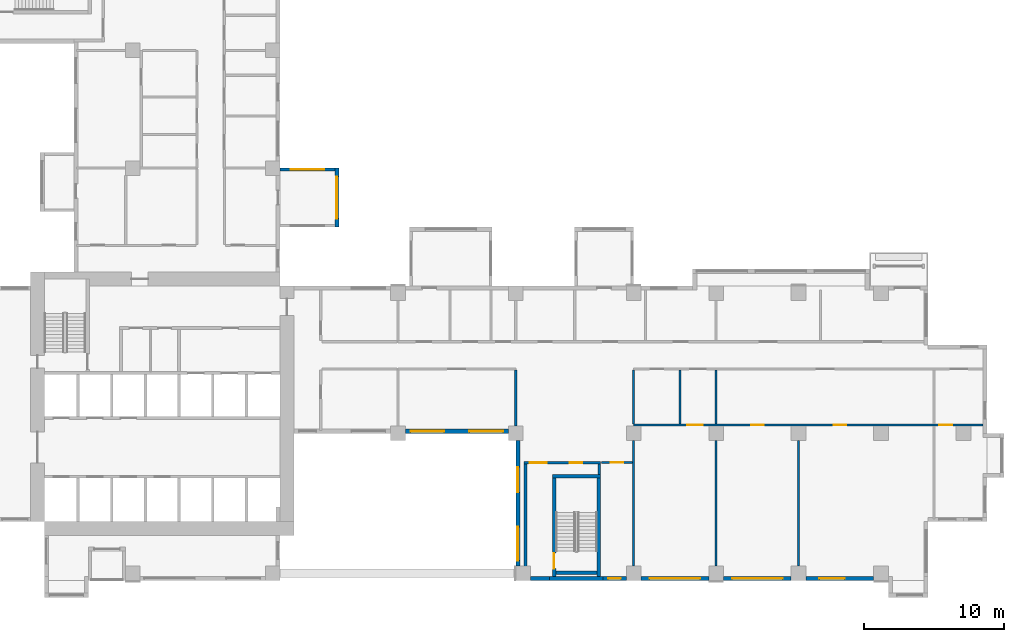
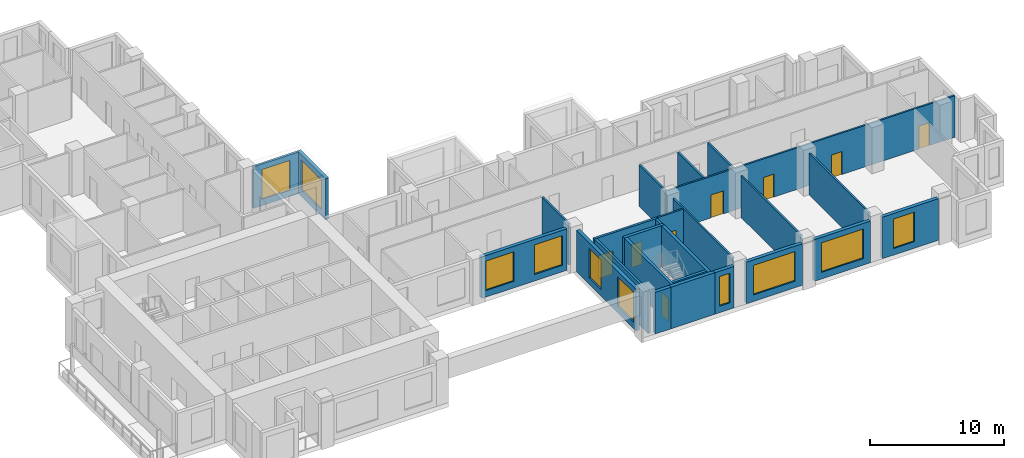
# One storey, part 4 of 14: 26 walls, 10 windows, 8 doors, 18 openings.
"""IFC4 building model written with IfcOpenShell, lengths in metres."""

import ifcopenshell
import ifcopenshell.guid

model = None  # the IFC model being written
_history = None  # IfcOwnerHistory: only IFC2X3 demands one
_inside = {}  # id of a spatial element -> (the spatial element, [elements in it])
_under = {}  # id of a project, library or spatial element -> (it, [spatial elements below it])
_declared = {}  # id of a project -> (the project, [libraries it declares])
_typed = {}  # id of a type object -> (the type object, [elements of that type])
_made_of = {}  # id of a material, layer set ... -> (it, [elements and type objects made of it])


def new_model(schema):
    """Start an empty IFC model of exactly this schema.

    Asked for "IFC4X3", IfcOpenShell would pick the latest addendum, in which some entities
    have other attributes; the version numbers below select the first issue.
    IFC2X3 requires an IfcOwnerHistory on every rooted entity: one is made here for all.
    """
    global model, _history
    if schema == "IFC4X3":
        model = ifcopenshell.file(schema_version=(4, 3, 0, 0))
    else:
        model = ifcopenshell.file(schema=schema)
    _inside.clear()
    _under.clear()
    _declared.clear()
    _typed.clear()
    _made_of.clear()
    _history = None
    if model.schema == "IFC2X3":
        org = make("IfcOrganization", Name="unknown")
        user = make(
            "IfcPersonAndOrganization",
            ThePerson=make("IfcPerson", FamilyName="unknown"),
            TheOrganization=org,
        )
        app = make(
            "IfcApplication",
            ApplicationDeveloper=org,
            Version="unknown",
            ApplicationFullName="unknown",
            ApplicationIdentifier="unknown",
        )
        _history = make(
            "IfcOwnerHistory",
            OwningUser=user,
            OwningApplication=app,
            ChangeAction="ADDED",
            CreationDate=0,
        )
    return model


def make(cls, **values):
    """One entity of the class cls with the attributes given. An attribute that is None is left unset."""
    return model.create_entity(
        cls, **{name: value for name, value in values.items() if value is not None}
    )


def rooted(cls, **values):
    """An entity with a GlobalId (a new one), such as an element, a storey or a relation."""
    return make(cls, GlobalId=ifcopenshell.guid.new(), OwnerHistory=_history, **values)


def si_unit(unit_type, name, prefix=None):
    """IfcSIUnit, for example si_unit("LENGTHUNIT", "METRE", prefix="MILLI")."""
    return make("IfcSIUnit", UnitType=unit_type, Prefix=prefix, Name=name)


def assignment(units):
    """IfcUnitAssignment: the units of a project."""
    return None if units is None else make("IfcUnitAssignment", Units=units)


def point(xyz):
    """IfcCartesianPoint."""
    return None if xyz is None else make("IfcCartesianPoint", Coordinates=xyz)


def direction(xyz):
    """IfcDirection."""
    return None if xyz is None else make("IfcDirection", DirectionRatios=xyz)


def frame(location, z_axis=None, x_axis=None):
    """IfcAxis2Placement3D, a coordinate frame: its origin and axes. An axis left out is left unset."""
    return make(
        "IfcAxis2Placement3D",
        Location=point(location),
        Axis=direction(z_axis),
        RefDirection=direction(x_axis),
    )


def frame_2d(location, x_axis=None):
    """IfcAxis2Placement2D, a coordinate frame in the plane: its origin and x axis."""
    return make(
        "IfcAxis2Placement2D", Location=point(location), RefDirection=direction(x_axis)
    )


def origin():
    """The frame at (0, 0, 0) with its axes left unset."""
    return frame((0.0, 0.0, 0.0))


def place(relative_to, where):
    """IfcLocalPlacement: puts the frame where relative to a parent placement (None: the world)."""
    return make(
        "IfcLocalPlacement", PlacementRelTo=relative_to, RelativePlacement=where
    )


def context(
    kind, dimensions, precision=None, world=None, true_north=None, identifier=None
):
    """IfcGeometricRepresentationContext, for example the 3D "Model" context."""
    return make(
        "IfcGeometricRepresentationContext",
        ContextIdentifier=identifier,
        ContextType=kind,
        CoordinateSpaceDimension=dimensions,
        Precision=precision,
        WorldCoordinateSystem=world,
        TrueNorth=true_north,
    )


def subcontext(parent, identifier, kind, view, scale=None):
    """IfcGeometricRepresentationSubContext, for example "Body" below "Model"."""
    return make(
        "IfcGeometricRepresentationSubContext",
        ContextIdentifier=identifier,
        ContextType=kind,
        ParentContext=parent,
        TargetScale=scale,
        TargetView=view,
    )


def project(units=None, contexts=None):
    """IfcProject with its units and contexts."""
    return rooted(
        "IfcProject",
        Name="project",
        RepresentationContexts=contexts,
        UnitsInContext=assignment(units),
    )


def spatial(cls, under=None, at=None, **own):
    """A site, building, storey or space (cls), placed at a placement, below another one or the project."""
    s = rooted(cls, ObjectPlacement=at, **own)
    if under is not None:
        _under.setdefault(under.id(), (under, []))[1].append(s)
    return s


def profile(cls, at=None, kind="AREA", **sizes):
    """A parametric profile (cls). Its sizes go by their IFC names, for example OverallWidth=200.0."""
    return make(cls, ProfileType=kind, Position=at, **sizes)


def rectangle(**sizes):
    """IfcRectangleProfileDef."""
    return profile("IfcRectangleProfileDef", **sizes)


def extrude(swept, where, along, depth):
    """IfcExtrudedAreaSolid: the profile swept, set in the frame where, extruded along a direction by depth."""
    return make(
        "IfcExtrudedAreaSolid",
        SweptArea=swept,
        Position=where,
        ExtrudedDirection=direction(along),
        Depth=depth,
    )


def shape(context_of_items, identifier, shape_type, items):
    """IfcShapeRepresentation: the items that make up one representation, for example the "Body"."""
    return make(
        "IfcShapeRepresentation",
        ContextOfItems=context_of_items,
        RepresentationIdentifier=identifier,
        RepresentationType=shape_type,
        Items=items,
    )


def source(mapping_origin, context_of_items, identifier, shape_type, items):
    """IfcRepresentationMap: a shape defined once, which mapped items show again and again."""
    return make(
        "IfcRepresentationMap",
        MappingOrigin=mapping_origin,
        MappedRepresentation=shape(context_of_items, identifier, shape_type, items),
    )


def transform(
    local_origin,
    x_axis=None,
    y_axis=None,
    z_axis=None,
    scale=None,
    scale2=None,
    scale3=None,
    uniform=True,
):
    """IfcCartesianTransformationOperator3D, or its non-uniform kind. x_axis, y_axis, z_axis: its Axis1, 2, 3."""
    if uniform:
        return make(
            "IfcCartesianTransformationOperator3D",
            Axis1=direction(x_axis),
            Axis2=direction(y_axis),
            LocalOrigin=point(local_origin),
            Scale=scale,
            Axis3=direction(z_axis),
        )
    return make(
        "IfcCartesianTransformationOperator3DnonUniform",
        Axis1=direction(x_axis),
        Axis2=direction(y_axis),
        LocalOrigin=point(local_origin),
        Scale=scale,
        Axis3=direction(z_axis),
        Scale2=scale2,
        Scale3=scale3,
    )


def mapped(mapping_source, mapping_target):
    """IfcMappedItem: shows the shape of a source again, moved by a transform."""
    return make(
        "IfcMappedItem", MappingSource=mapping_source, MappingTarget=mapping_target
    )


def material(Name=None, Category=None):
    """IfcMaterial."""
    return make("IfcMaterial", Name=Name, Category=Category)


def layer(
    of_material, thickness, ventilated=None, Name=None, Category=None, Priority=None
):
    """IfcMaterialLayer: one layer of a wall or slab, of a material (None: an air gap)."""
    return make(
        "IfcMaterialLayer",
        Material=of_material,
        LayerThickness=thickness,
        IsVentilated=ventilated,
        Name=Name,
        Category=Category,
        Priority=Priority,
    )


def layer_set(layers, Name=None):
    """IfcMaterialLayerSet."""
    return make("IfcMaterialLayerSet", MaterialLayers=layers, LayerSetName=Name)


def made_of(thing, what):
    """Note that an element or type object is made of a material, layer set ...; save() writes the relation."""
    if what is not None:
        _made_of.setdefault(what.id(), (what, []))[1].append(thing)
    return thing


def type_object(cls, material=None, **own):
    """A type object (cls), such as IfcWallType, which elements share."""
    return made_of(rooted(cls, **own), material)


def element(
    cls,
    number,
    at=None,
    inside=None,
    cuts=None,
    type_object=None,
    material=None,
    context=None,
    identifier="Body",
    shape_type=None,
    held_by="IfcProductDefinitionShape",
    body=None,
    shapes=None,
    **own,
):
    """One element of the class cls, such as IfcWall. Its Tag is "e" and its number.

    at: its placement. inside: the storey or other place that contains it. cuts: it is an
    opening in that element (IfcRelVoidsElement). A single representation is given by context,
    identifier, shape_type and body (its items); several are given by shapes. held_by: the class
    of the entity that holds the representations. save() writes the other relations.
    """
    e = rooted(cls, Tag="e%d" % number, ObjectPlacement=at, **own)
    if body is not None:
        shapes = [shape(context, identifier, shape_type, body)]
    if shapes is not None:
        e.Representation = make(held_by, Representations=shapes)
    if inside is not None:
        _inside.setdefault(inside.id(), (inside, []))[1].append(e)
    if cuts is not None:
        rooted(
            "IfcRelVoidsElement", RelatingBuildingElement=cuts, RelatedOpeningElement=e
        )
    if type_object is not None:
        _typed.setdefault(type_object.id(), (type_object, []))[1].append(e)
    return made_of(e, material)


def fill(opening, filler):
    """IfcRelFillsElement: the door or window that sits in an opening."""
    return rooted(
        "IfcRelFillsElement",
        RelatingOpeningElement=opening,
        RelatedBuildingElement=filler,
    )


def aggregate(whole, parts):
    """IfcRelAggregates: a whole, such as a stair, and the parts it consists of."""
    return rooted("IfcRelAggregates", RelatingObject=whole, RelatedObjects=parts)


def save(model, path):
    """Write the relations noted so far, then the file.

    IfcRelAggregates (storeys below a building ...), IfcRelContainedInSpatialStructure (elements
    in a storey), IfcRelDefinesByType, IfcRelAssociatesMaterial and IfcRelDeclares: one each for
    every whole, place, type object, material and project.
    """
    for whole, parts in _under.values():
        aggregate(whole, parts)
    for where, things in _inside.values():
        rooted(
            "IfcRelContainedInSpatialStructure",
            RelatedElements=things,
            RelatingStructure=where,
        )
    for kind, things in _typed.values():
        rooted("IfcRelDefinesByType", RelatedObjects=things, RelatingType=kind)
    for what, things in _made_of.values():
        rooted("IfcRelAssociatesMaterial", RelatedObjects=things, RelatingMaterial=what)
    for by, libraries in _declared.values():
        rooted("IfcRelDeclares", RelatingContext=by, RelatedDefinitions=libraries)
    model.write(path)


model = new_model("IFC4")

# Units and contexts
model_context = context("Model", 3, precision=1e-05, world=origin(), true_north=direction((0.0, 1.0)))
body_context = subcontext(model_context, "Body", "Model", "MODEL_VIEW")
ifc_project = project(units=[si_unit("LENGTHUNIT", "METRE"), si_unit("AREAUNIT", "SQUARE_METRE"), si_unit("VOLUMEUNIT", "CUBIC_METRE"), si_unit("PLANEANGLEUNIT", "RADIAN"), si_unit("MASSUNIT", "GRAM", prefix="KILO")], contexts=[model_context])

# Site, building, storey
site_placement = place(None, origin())
site = spatial("IfcSite", under=ifc_project, at=site_placement, CompositionType="ELEMENT")
building_placement = place(site_placement, origin())
building = spatial("IfcBuilding", under=site, at=building_placement, Name="Aurelian Terraces", CompositionType="ELEMENT")
storey_placement = place(building_placement, frame((0.0, 0.0, 153.9)))
storey = spatial("IfcBuildingStorey", under=building, at=storey_placement, Name="L34", CompositionType="ELEMENT", Elevation=153.9)

# Wall
ifc_material_1 = material(Name="Concrete fc' 40 MPa", Category="concrete")
ifc_layer_1 = layer(ifc_material_1, 0.3)
ifc_layer_set_1 = layer_set([ifc_layer_1], Name="STAIR BAY WALL 300")
wall_type_1 = type_object("IfcWallType", Name="STAIR BAY WALL 300", PredefinedType="SOLIDWALL", material=ifc_layer_set_1)
shared_shape_1 = source(origin(), body_context, "Body", "SweptSolid", [
    extrude(rectangle(XDim=3.8, YDim=0.3, at=frame_2d((1.9, 0.0))), origin(), (0.0, 0.0, 1.0), 3.8),
])
wall_1_placement = place(storey_placement, frame((40.2, 0.15, 0.0), z_axis=(0.0, 0.0, 1.0), x_axis=(1.0, 0.0, 0.0)))
element("IfcWall", 1, at=wall_1_placement, inside=storey, type_object=wall_type_1, Name="Stair bay wall L34 F05.9", PredefinedType="SOLIDWALL", context=body_context, shape_type="MappedRepresentation", body=[
    mapped(shared_shape_1, transform((0.0, 0.0, 0.0), scale=1.0)),
])

# Wall, opening, window
ifc_layer_2 = layer(ifc_material_1, 0.2)
ifc_layer_set_2 = layer_set([ifc_layer_2], Name="BOX BEARING WALL 200")
wall_type_2 = type_object("IfcWallType", Name="BOX BEARING WALL 200", PredefinedType="SOLIDWALL", material=ifc_layer_set_2)
shared_shape_2 = source(origin(), body_context, "Body", "SweptSolid", [
    extrude(rectangle(XDim=3.9, YDim=0.2, at=frame_2d((1.95, 0.0))), origin(), (0.0, 0.0, 1.0), 3.8),
])
wall_2_placement = place(storey_placement, frame((21.0, 29.3, 0.0), z_axis=(0.0, 0.0, 1.0), x_axis=(1.0, 0.0, 0.0)))
wall_2 = element("IfcWall", 2, at=wall_2_placement, inside=storey, type_object=wall_type_2, Name="Box return L34 J49.2", PredefinedType="SOLIDWALL", context=body_context, shape_type="MappedRepresentation", body=[
    mapped(shared_shape_2, transform((0.0, 0.0, 0.0), scale=1.0)),
])
shared_shape_3 = source(origin(), body_context, "Body", "SweptSolid", [
    extrude(rectangle(XDim=2.4, YDim=2.7, at=frame_2d((1.2, 1.35))), frame((0.0, 0.11, 0.0), z_axis=(0.0, -1.0, 0.0), x_axis=(1.0, 0.0, 0.0)), (0.0, 0.0, 1.0), 0.22),
])
opening_1_placement = place(wall_2_placement, frame((0.75, 0.0, 0.6)))
opening_1 = element("IfcOpeningElement", 3, at=opening_1_placement, cuts=wall_2, Name="Opening W2427", PredefinedType="OPENING", context=body_context, shape_type="MappedRepresentation", body=[
    mapped(shared_shape_3, transform((0.0, 0.0, 0.0), scale=1.0)),
])
ifc_material_2 = material(Name="Clear glazing", Category="glass")
window_type_1 = type_object("IfcWindowType", Name="W-2400x2700", PartitioningType="SINGLE_PANEL", PredefinedType="WINDOW", material=ifc_material_2)
shared_shape_4 = source(origin(), body_context, "Body", "SweptSolid", [
    extrude(rectangle(XDim=2.4, YDim=2.7, at=frame_2d((1.2, 1.35))), frame((0.0, 0.03, 0.0), z_axis=(0.0, -1.0, 0.0), x_axis=(1.0, 0.0, 0.0)), (0.0, 0.0, 1.0), 0.06),
])
window_1_placement = place(opening_1_placement, origin())
window_1 = element("IfcWindow", 4, at=window_1_placement, inside=storey, type_object=window_type_1, Name="Window L34 J49-S2", OverallHeight=2.7, OverallWidth=2.4, PartitioningType="SINGLE_PANEL", PredefinedType="WINDOW", context=body_context, shape_type="MappedRepresentation", body=[
    mapped(shared_shape_4, transform((0.0, 0.0, 0.0), scale=1.0)),
])
fill(opening_1, window_1)

ifc_layer_3 = layer(ifc_material_1, 0.3)
ifc_layer_set_3 = layer_set([ifc_layer_3], Name="BOX BEARING WALL 300")
wall_type_3 = type_object("IfcWallType", Name="BOX BEARING WALL 300", PredefinedType="SOLIDWALL", material=ifc_layer_set_3)
shared_shape_5 = source(origin(), body_context, "Body", "SweptSolid", [
    extrude(rectangle(XDim=4.2, YDim=0.3, at=frame_2d((2.1, 0.0))), origin(), (0.0, 0.0, 1.0), 3.8),
])
wall_3_placement = place(storey_placement, frame((25.05, 25.2, 0.0), z_axis=(0.0, 0.0, 1.0), x_axis=(0.0, 1.0, 0.0)))
wall_3 = element("IfcWall", 5, at=wall_3_placement, inside=storey, type_object=wall_type_3, Name="Box wall L34 J49", PredefinedType="SOLIDWALL", context=body_context, shape_type="MappedRepresentation", body=[
    mapped(shared_shape_5, transform((0.0, 0.0, 0.0), scale=1.0)),
])
shared_shape_6 = source(origin(), body_context, "Body", "SweptSolid", [
    extrude(rectangle(XDim=3.0, YDim=2.7, at=frame_2d((1.5, 1.35))), frame((0.0, 0.16, 0.0), z_axis=(0.0, -1.0, 0.0), x_axis=(1.0, 0.0, 0.0)), (0.0, 0.0, 1.0), 0.32),
])
opening_2_placement = place(wall_3_placement, frame((0.6, 0.0, 0.6)))
opening_2 = element("IfcOpeningElement", 6, at=opening_2_placement, cuts=wall_3, Name="Opening W3027", PredefinedType="OPENING", context=body_context, shape_type="MappedRepresentation", body=[
    mapped(shared_shape_6, transform((0.0, 0.0, 0.0), scale=1.0)),
])
window_type_2 = type_object("IfcWindowType", Name="W-3000x2700", PartitioningType="SINGLE_PANEL", PredefinedType="WINDOW", material=ifc_material_2)
shared_shape_7 = source(origin(), body_context, "Body", "SweptSolid", [
    extrude(rectangle(XDim=3.0, YDim=2.7, at=frame_2d((1.5, 1.35))), frame((0.0, 0.03, 0.0), z_axis=(0.0, -1.0, 0.0), x_axis=(1.0, 0.0, 0.0)), (0.0, 0.0, 1.0), 0.06),
])
window_2_placement = place(opening_2_placement, origin())
window_2 = element("IfcWindow", 7, at=window_2_placement, inside=storey, type_object=window_type_2, Name="Window L34 J49-F1", OverallHeight=2.7, OverallWidth=3.0, PartitioningType="SINGLE_PANEL", PredefinedType="WINDOW", context=body_context, shape_type="MappedRepresentation", body=[
    mapped(shared_shape_7, transform((0.0, 0.0, 0.0), scale=1.0)),
])
fill(opening_2, window_2)

# Wall, openings, windows
ifc_material_3 = material(Name="Terracotta rainscreen cladding", Category="masonry")
ifc_layer_4 = layer(ifc_material_3, 0.3)
ifc_layer_set_4 = layer_set([ifc_layer_4], Name="EW-300")
wall_type_4 = type_object("IfcWallType", Name="EW-300", PredefinedType="STANDARD", material=ifc_layer_set_4)
shared_shape_8 = source(origin(), body_context, "Body", "SweptSolid", [
    extrude(rectangle(XDim=7.35, YDim=0.3, at=frame_2d((3.675, 0.0))), origin(), (0.0, 0.0, 1.0), 3.8),
])
wall_4_placement = place(storey_placement, frame((29.925, 10.65, 0.0), z_axis=(0.0, 0.0, 1.0), x_axis=(1.0, 0.0, 0.0)))
wall_4 = element("IfcWall", 8, at=wall_4_placement, inside=storey, type_object=wall_type_4, Name="External wall L34 F03.7", PredefinedType="STANDARD", context=body_context, shape_type="MappedRepresentation", body=[
    mapped(shared_shape_8, transform((0.0, 0.0, 0.0), scale=1.0)),
])
shared_shape_9 = source(origin(), body_context, "Body", "SweptSolid", [
    extrude(rectangle(XDim=2.4, YDim=2.7, at=frame_2d((1.2, 1.35))), frame((0.0, 0.16, 0.0), z_axis=(0.0, -1.0, 0.0), x_axis=(1.0, 0.0, 0.0)), (0.0, 0.0, 1.0), 0.32),
])
opening_3_placement = place(wall_4_placement, frame((0.375, 0.0, 0.6)))
opening_3 = element("IfcOpeningElement", 9, at=opening_3_placement, cuts=wall_4, Name="Opening W2427", PredefinedType="OPENING", context=body_context, shape_type="MappedRepresentation", body=[
    mapped(shared_shape_9, transform((0.0, 0.0, 0.0), scale=1.0)),
])
opening_4_placement = place(wall_4_placement, frame((4.575, 0.0, 0.6)))
opening_4 = element("IfcOpeningElement", 10, at=opening_4_placement, cuts=wall_4, Name="Opening W2427", PredefinedType="OPENING", context=body_context, shape_type="MappedRepresentation", body=[
    mapped(shared_shape_9, transform((0.0, 0.0, 0.0), scale=1.0)),
])
window_3_placement = place(opening_3_placement, origin())
window_3 = element("IfcWindow", 11, at=window_3_placement, inside=storey, type_object=window_type_1, Name="Window L34 L34-F03-07-0", OverallHeight=2.7, OverallWidth=2.4, PartitioningType="SINGLE_PANEL", PredefinedType="WINDOW", context=body_context, shape_type="MappedRepresentation", body=[
    mapped(shared_shape_4, transform((0.0, 0.0, 0.0), scale=1.0)),
])
fill(opening_3, window_3)
window_4_placement = place(opening_4_placement, origin())
window_4 = element("IfcWindow", 12, at=window_4_placement, inside=storey, type_object=window_type_1, Name="Window L34 L34-F03-07-1", OverallHeight=2.7, OverallWidth=2.4, PartitioningType="SINGLE_PANEL", PredefinedType="WINDOW", context=body_context, shape_type="MappedRepresentation", body=[
    mapped(shared_shape_4, transform((0.0, 0.0, 0.0), scale=1.0)),
])
fill(opening_4, window_4)

shared_shape_10 = source(origin(), body_context, "Body", "SweptSolid", [
    extrude(rectangle(XDim=8.925, YDim=0.3, at=frame_2d((4.4625, 0.0))), origin(), (0.0, 0.0, 1.0), 3.8),
])
wall_5_placement = place(storey_placement, frame((37.95, 9.975, 0.0), z_axis=(0.0, 0.0, 1.0), x_axis=(0.0, -1.0, 0.0)))
wall_5 = element("IfcWall", 13, at=wall_5_placement, inside=storey, type_object=wall_type_4, Name="External wall L34 F04.8", PredefinedType="STANDARD", context=body_context, shape_type="MappedRepresentation", body=[
    mapped(shared_shape_10, transform((0.0, 0.0, 0.0), scale=1.0)),
])
shared_shape_11 = source(origin(), body_context, "Body", "SweptSolid", [
    extrude(rectangle(XDim=1.8, YDim=2.7, at=frame_2d((0.9, 1.35))), frame((0.0, 0.16, 0.0), z_axis=(0.0, -1.0, 0.0), x_axis=(1.0, 0.0, 0.0)), (0.0, 0.0, 1.0), 0.32),
])
opening_5_placement = place(wall_5_placement, frame((1.8875, 0.0, 0.6)))
opening_5 = element("IfcOpeningElement", 14, at=opening_5_placement, cuts=wall_5, Name="Opening W1827", PredefinedType="OPENING", context=body_context, shape_type="MappedRepresentation", body=[
    mapped(shared_shape_11, transform((0.0, 0.0, 0.0), scale=1.0)),
])
opening_6_placement = place(wall_5_placement, frame((6.15, 0.0, 0.6)))
opening_6 = element("IfcOpeningElement", 15, at=opening_6_placement, cuts=wall_5, Name="Opening W2427", PredefinedType="OPENING", context=body_context, shape_type="MappedRepresentation", body=[
    mapped(shared_shape_9, transform((0.0, 0.0, 0.0), scale=1.0)),
])
window_5_placement = place(opening_6_placement, origin())
window_5 = element("IfcWindow", 16, at=window_5_placement, inside=storey, type_object=window_type_1, Name="Window L34 L34-F04-08-1", OverallHeight=2.7, OverallWidth=2.4, PartitioningType="SINGLE_PANEL", PredefinedType="WINDOW", context=body_context, shape_type="MappedRepresentation", body=[
    mapped(shared_shape_4, transform((0.0, 0.0, 0.0), scale=1.0)),
])
fill(opening_6, window_5)
window_type_3 = type_object("IfcWindowType", Name="W-1800x2700", PartitioningType="SINGLE_PANEL", PredefinedType="WINDOW", material=ifc_material_2)
shared_shape_12 = source(origin(), body_context, "Body", "SweptSolid", [
    extrude(rectangle(XDim=1.8, YDim=2.7, at=frame_2d((0.9, 1.35))), frame((0.0, 0.03, 0.0), z_axis=(0.0, -1.0, 0.0), x_axis=(1.0, 0.0, 0.0)), (0.0, 0.0, 1.0), 0.06),
])
window_6_placement = place(opening_5_placement, origin())
window_6 = element("IfcWindow", 17, at=window_6_placement, inside=storey, type_object=window_type_3, Name="Window L34 L34-F04-08-0", OverallHeight=2.7, OverallWidth=1.8, PartitioningType="SINGLE_PANEL", PredefinedType="WINDOW", context=body_context, shape_type="MappedRepresentation", body=[
    mapped(shared_shape_12, transform((0.0, 0.0, 0.0), scale=1.0)),
])
fill(opening_5, window_6)

# Wall, opening, window
shared_shape_13 = source(origin(), body_context, "Body", "SweptSolid", [
    extrude(rectangle(XDim=4.83, YDim=0.3, at=frame_2d((2.415, 0.0))), origin(), (0.0, 0.0, 1.0), 3.8),
])
wall_6_placement = place(storey_placement, frame((46.725, 0.15, 0.0), z_axis=(0.0, 0.0, 1.0), x_axis=(1.0, 0.0, 0.0)))
wall_6 = element("IfcWall", 18, at=wall_6_placement, inside=storey, type_object=wall_type_4, Name="External wall L34 F05.10", PredefinedType="STANDARD", context=body_context, shape_type="MappedRepresentation", body=[
    mapped(shared_shape_13, transform((0.0, 0.0, 0.0), scale=1.0)),
])
shared_shape_14 = source(origin(), body_context, "Body", "SweptSolid", [
    extrude(rectangle(XDim=3.6, YDim=2.7, at=frame_2d((1.8, 1.35))), frame((0.0, 0.16, 0.0), z_axis=(0.0, -1.0, 0.0), x_axis=(1.0, 0.0, 0.0)), (0.0, 0.0, 1.0), 0.32),
])
opening_7_placement = place(wall_6_placement, frame((0.615, 0.0, 0.6)))
opening_7 = element("IfcOpeningElement", 19, at=opening_7_placement, cuts=wall_6, Name="Opening W3627", PredefinedType="OPENING", context=body_context, shape_type="MappedRepresentation", body=[
    mapped(shared_shape_14, transform((0.0, 0.0, 0.0), scale=1.0)),
])
window_type_4 = type_object("IfcWindowType", Name="W-3600x2700", PartitioningType="SINGLE_PANEL", PredefinedType="WINDOW", material=ifc_material_2)
shared_shape_15 = source(origin(), body_context, "Body", "SweptSolid", [
    extrude(rectangle(XDim=3.6, YDim=2.7, at=frame_2d((1.8, 1.35))), frame((0.0, 0.03, 0.0), z_axis=(0.0, -1.0, 0.0), x_axis=(1.0, 0.0, 0.0)), (0.0, 0.0, 1.0), 0.06),
])
window_7_placement = place(opening_7_placement, origin())
window_7 = element("IfcWindow", 20, at=window_7_placement, inside=storey, type_object=window_type_4, Name="Window L34 L34-F05-10-0", OverallHeight=2.7, OverallWidth=3.6, PartitioningType="SINGLE_PANEL", PredefinedType="WINDOW", context=body_context, shape_type="MappedRepresentation", body=[
    mapped(shared_shape_15, transform((0.0, 0.0, 0.0), scale=1.0)),
])
fill(opening_7, window_7)

wall_7_placement = place(storey_placement, frame((52.605, 0.15, 0.0), z_axis=(0.0, 0.0, 1.0), x_axis=(1.0, 0.0, 0.0)))
wall_7 = element("IfcWall", 21, at=wall_7_placement, inside=storey, type_object=wall_type_4, Name="External wall L34 F05.11", PredefinedType="STANDARD", context=body_context, shape_type="MappedRepresentation", body=[
    mapped(shared_shape_13, transform((0.0, 0.0, 0.0), scale=1.0)),
])
opening_8_placement = place(wall_7_placement, frame((0.615, 0.0, 0.6)))
opening_8 = element("IfcOpeningElement", 22, at=opening_8_placement, cuts=wall_7, Name="Opening W3627", PredefinedType="OPENING", context=body_context, shape_type="MappedRepresentation", body=[
    mapped(shared_shape_14, transform((0.0, 0.0, 0.0), scale=1.0)),
])
window_8_placement = place(opening_8_placement, origin())
window_8 = element("IfcWindow", 23, at=window_8_placement, inside=storey, type_object=window_type_4, Name="Window L34 L34-F05-11-0", OverallHeight=2.7, OverallWidth=3.6, PartitioningType="SINGLE_PANEL", PredefinedType="WINDOW", context=body_context, shape_type="MappedRepresentation", body=[
    mapped(shared_shape_15, transform((0.0, 0.0, 0.0), scale=1.0)),
])
fill(opening_8, window_8)

wall_8_placement = place(storey_placement, frame((58.485, 0.15, 0.0), z_axis=(0.0, 0.0, 1.0), x_axis=(1.0, 0.0, 0.0)))
wall_8 = element("IfcWall", 24, at=wall_8_placement, inside=storey, type_object=wall_type_4, Name="External wall L34 F05.12", PredefinedType="STANDARD", context=body_context, shape_type="MappedRepresentation", body=[
    mapped(shared_shape_13, transform((0.0, 0.0, 0.0), scale=1.0)),
])
opening_9_placement = place(wall_8_placement, frame((0.9525, 0.0, 0.6)))
opening_9 = element("IfcOpeningElement", 25, at=opening_9_placement, cuts=wall_8, Name="Opening W1827", PredefinedType="OPENING", context=body_context, shape_type="MappedRepresentation", body=[
    mapped(shared_shape_11, transform((0.0, 0.0, 0.0), scale=1.0)),
])
window_9_placement = place(opening_9_placement, origin())
window_9 = element("IfcWindow", 26, at=window_9_placement, inside=storey, type_object=window_type_3, Name="Window L34 L34-F05-12-0", OverallHeight=2.7, OverallWidth=1.8, PartitioningType="SINGLE_PANEL", PredefinedType="WINDOW", context=body_context, shape_type="MappedRepresentation", body=[
    mapped(shared_shape_12, transform((0.0, 0.0, 0.0), scale=1.0)),
])
fill(opening_9, window_9)

shared_shape_16 = source(origin(), body_context, "Body", "SweptSolid", [
    extrude(rectangle(XDim=1.675, YDim=0.3, at=frame_2d((0.8375, 0.0))), origin(), (0.0, 0.0, 1.0), 3.8),
])
wall_9_placement = place(storey_placement, frame((44.0, 0.15, 0.0), z_axis=(0.0, 0.0, 1.0), x_axis=(1.0, 0.0, 0.0)))
wall_9 = element("IfcWall", 27, at=wall_9_placement, inside=storey, type_object=wall_type_4, Name="External wall L34 F05.9", PredefinedType="STANDARD", context=body_context, shape_type="MappedRepresentation", body=[
    mapped(shared_shape_16, transform((0.0, 0.0, 0.0), scale=1.0)),
])
shared_shape_17 = source(origin(), body_context, "Body", "SweptSolid", [
    extrude(rectangle(XDim=0.9, YDim=2.7, at=frame_2d((0.45, 1.35))), frame((0.0, 0.16, 0.0), z_axis=(0.0, -1.0, 0.0), x_axis=(1.0, 0.0, 0.0)), (0.0, 0.0, 1.0), 0.32),
])
opening_10_placement = place(wall_9_placement, frame((0.3875, 0.0, 0.6)))
opening_10 = element("IfcOpeningElement", 28, at=opening_10_placement, cuts=wall_9, Name="Opening W0927", PredefinedType="OPENING", context=body_context, shape_type="MappedRepresentation", body=[
    mapped(shared_shape_17, transform((0.0, 0.0, 0.0), scale=1.0)),
])
window_type_5 = type_object("IfcWindowType", Name="W-900x2700", PartitioningType="SINGLE_PANEL", PredefinedType="WINDOW", material=ifc_material_2)
shared_shape_18 = source(origin(), body_context, "Body", "SweptSolid", [
    extrude(rectangle(XDim=0.9, YDim=2.7, at=frame_2d((0.45, 1.35))), frame((0.0, 0.03, 0.0), z_axis=(0.0, -1.0, 0.0), x_axis=(1.0, 0.0, 0.0)), (0.0, 0.0, 1.0), 0.06),
])
window_10_placement = place(opening_10_placement, origin())
window_10 = element("IfcWindow", 29, at=window_10_placement, inside=storey, type_object=window_type_5, Name="Window L34 L34-F05-09-P2", OverallHeight=2.7, OverallWidth=0.9, PartitioningType="SINGLE_PANEL", PredefinedType="WINDOW", context=body_context, shape_type="MappedRepresentation", body=[
    mapped(shared_shape_18, transform((0.0, 0.0, 0.0), scale=1.0)),
])
fill(opening_10, window_10)

# Wall
shared_shape_19 = source(origin(), body_context, "Body", "SweptSolid", [
    extrude(rectangle(XDim=1.35, YDim=0.3, at=frame_2d((0.675, 0.0))), origin(), (0.0, 0.0, 1.0), 3.8),
])
wall_10_placement = place(storey_placement, frame((38.85, 0.15, 0.0), z_axis=(0.0, 0.0, 1.0), x_axis=(1.0, 0.0, 0.0)))
element("IfcWall", 30, at=wall_10_placement, inside=storey, type_object=wall_type_4, Name="External wall L34 F05.9", PredefinedType="STANDARD", context=body_context, shape_type="MappedRepresentation", body=[
    mapped(shared_shape_19, transform((0.0, 0.0, 0.0), scale=1.0)),
])

# Wall, opening, door
ifc_layer_5 = layer(ifc_material_1, 0.25)
ifc_layer_set_5 = layer_set([ifc_layer_5], Name="Stair enclosure wall 250")
wall_type_5 = type_object("IfcWallType", Name="Stair enclosure wall 250", PredefinedType="SOLIDWALL", material=ifc_layer_set_5)
shared_shape_20 = source(origin(), body_context, "Body", "SweptSolid", [
    extrude(rectangle(XDim=7.0, YDim=0.25, at=frame_2d((3.5, 0.0))), origin(), (0.0, 0.0, 1.0), 3.8),
])
wall_11_placement = place(storey_placement, frame((40.525, 0.3, 0.0), z_axis=(0.0, 0.0, 1.0), x_axis=(0.0, 1.0, 0.0)))
wall_11 = element("IfcWall", 31, at=wall_11_placement, inside=storey, type_object=wall_type_5, Name="L34 core wall ST-S2-W", PredefinedType="SOLIDWALL", context=body_context, shape_type="MappedRepresentation", body=[
    mapped(shared_shape_20, transform((0.0, 0.0, 0.0), scale=1.0)),
])
shared_shape_21 = source(origin(), body_context, "Body", "SweptSolid", [
    extrude(rectangle(XDim=1.1, YDim=2.1, at=frame_2d((0.55, 1.05))), frame((0.0, 0.135, 0.0), z_axis=(0.0, -1.0, 0.0), x_axis=(1.0, 0.0, 0.0)), (0.0, 0.0, 1.0), 0.27),
])
opening_11_placement = place(wall_11_placement, frame((0.55, 0.0, 0.0)))
opening_11 = element("IfcOpeningElement", 32, at=opening_11_placement, cuts=wall_11, Name="Opening 63714", PredefinedType="OPENING", context=body_context, shape_type="MappedRepresentation", body=[
    mapped(shared_shape_21, transform((0.0, 0.0, 0.0), scale=1.0)),
])
ifc_material_4 = material(Name="Steel door leaf", Category="steel")
door_type_1 = type_object("IfcDoorType", Name="Core fire door 1100x2100 right", OperationType="SINGLE_SWING_RIGHT", PredefinedType="DOOR", material=ifc_material_4)
shared_shape_22 = source(origin(), body_context, "Body", "SweptSolid", [
    extrude(rectangle(XDim=1.1, YDim=2.1, at=frame_2d((0.55, 1.05))), frame((0.0, 0.025, 0.0), z_axis=(0.0, -1.0, 0.0), x_axis=(1.0, 0.0, 0.0)), (0.0, 0.0, 1.0), 0.05),
])
door_1_placement = place(opening_11_placement, origin())
door_1 = element("IfcDoor", 33, at=door_1_placement, inside=storey, type_object=door_type_1, Name="Stair door 63714", OperationType="SINGLE_SWING_RIGHT", OverallHeight=2.1, OverallWidth=1.1, PredefinedType="DOOR", context=body_context, shape_type="MappedRepresentation", body=[
    mapped(shared_shape_22, transform((0.0, 0.0, 0.0), scale=1.0)),
])
fill(opening_11, door_1)

# Walls
wall_12_placement = place(storey_placement, frame((43.725, 0.3, 0.0), z_axis=(0.0, 0.0, 1.0), x_axis=(0.0, 1.0, 0.0)))
element("IfcWall", 34, at=wall_12_placement, inside=storey, type_object=wall_type_5, Name="L34 core wall ST-S2-E", PredefinedType="SOLIDWALL", context=body_context, shape_type="MappedRepresentation", body=[
    mapped(shared_shape_20, transform((0.0, 0.0, 0.0), scale=1.0)),
])
shared_shape_23 = source(origin(), body_context, "Body", "SweptSolid", [
    extrude(rectangle(XDim=3.45, YDim=0.25, at=frame_2d((1.725, 0.0))), origin(), (0.0, 0.0, 1.0), 3.8),
])
wall_13_placement = place(storey_placement, frame((40.4, 7.425, 0.0), z_axis=(0.0, 0.0, 1.0), x_axis=(1.0, 0.0, 0.0)))
element("IfcWall", 35, at=wall_13_placement, inside=storey, type_object=wall_type_5, Name="L34 core wall ST-S2-N", PredefinedType="SOLIDWALL", context=body_context, shape_type="MappedRepresentation", body=[
    mapped(shared_shape_23, transform((0.0, 0.0, 0.0), scale=1.0)),
])
shared_shape_24 = source(origin(), body_context, "Body", "SweptSolid", [
    extrude(rectangle(XDim=2.95, YDim=0.25, at=frame_2d((1.475, 0.0))), origin(), (0.0, 0.0, 1.0), 3.8),
])
wall_14_placement = place(storey_placement, frame((40.65, 0.575, 0.0), z_axis=(0.0, 0.0, 1.0), x_axis=(1.0, 0.0, 0.0)))
element("IfcWall", 36, at=wall_14_placement, inside=storey, type_object=wall_type_5, Name="L34 core wall ST-S2-SS", PredefinedType="SOLIDWALL", context=body_context, shape_type="MappedRepresentation", body=[
    mapped(shared_shape_24, transform((0.0, 0.0, 0.0), scale=1.0)),
])
ifc_material_5 = material(Name="Gypsum board on steel studs", Category="steel")
ifc_layer_6 = layer(ifc_material_5, 0.2)
ifc_layer_set_6 = layer_set([ifc_layer_6], Name="Core partition 200")
wall_type_6 = type_object("IfcWallType", Name="Core partition 200", PredefinedType="PARTITIONING", material=ifc_layer_set_6)
shared_shape_25 = source(origin(), body_context, "Body", "SweptSolid", [
    extrude(rectangle(XDim=8.0, YDim=0.2, at=frame_2d((4.0, 0.0))), origin(), (0.0, 0.0, 1.0), 3.8),
])
wall_15_placement = place(storey_placement, frame((38.5, 0.3, 0.0), z_axis=(0.0, 0.0, 1.0), x_axis=(0.0, 1.0, 0.0)))
element("IfcWall", 37, at=wall_15_placement, inside=storey, type_object=wall_type_6, Name="L34 core wall ST-S2-VW", PredefinedType="PARTITIONING", context=body_context, shape_type="MappedRepresentation", body=[
    mapped(shared_shape_25, transform((0.0, 0.0, 0.0), scale=1.0)),
])

# Wall, openings, doors
shared_shape_26 = source(origin(), body_context, "Body", "SweptSolid", [
    extrude(rectangle(XDim=5.45, YDim=0.2, at=frame_2d((2.725, 0.0))), origin(), (0.0, 0.0, 1.0), 3.8),
])
wall_16_placement = place(storey_placement, frame((38.4, 8.4, 0.0), z_axis=(0.0, 0.0, 1.0), x_axis=(1.0, 0.0, 0.0)))
wall_16 = element("IfcWall", 38, at=wall_16_placement, inside=storey, type_object=wall_type_6, Name="L34 core wall ST-S2-BN", PredefinedType="PARTITIONING", context=body_context, shape_type="MappedRepresentation", body=[
    mapped(shared_shape_26, transform((0.0, 0.0, 0.0), scale=1.0)),
])
shared_shape_27 = source(origin(), body_context, "Body", "SweptSolid", [
    extrude(rectangle(XDim=1.2, YDim=2.1, at=frame_2d((0.6, 1.05))), frame((0.0, 0.11, 0.0), z_axis=(0.0, -1.0, 0.0), x_axis=(1.0, 0.0, 0.0)), (0.0, 0.0, 1.0), 0.22),
])
opening_12_placement = place(wall_16_placement, frame((0.4, 0.0, 0.0)))
opening_12 = element("IfcOpeningElement", 39, at=opening_12_placement, cuts=wall_16, Name="Opening 63715", PredefinedType="OPENING", context=body_context, shape_type="MappedRepresentation", body=[
    mapped(shared_shape_27, transform((0.0, 0.0, 0.0), scale=1.0)),
])
shared_shape_28 = source(origin(), body_context, "Body", "SweptSolid", [
    extrude(rectangle(XDim=0.9, YDim=2.1, at=frame_2d((0.45, 1.05))), frame((0.0, 0.11, 0.0), z_axis=(0.0, -1.0, 0.0), x_axis=(1.0, 0.0, 0.0)), (0.0, 0.0, 1.0), 0.22),
])
opening_13_placement = place(wall_16_placement, frame((3.25, 0.0, 0.0)))
opening_13 = element("IfcOpeningElement", 40, at=opening_13_placement, cuts=wall_16, Name="Opening 63716", PredefinedType="OPENING", context=body_context, shape_type="MappedRepresentation", body=[
    mapped(shared_shape_28, transform((0.0, 0.0, 0.0), scale=1.0)),
])
door_type_2 = type_object("IfcDoorType", Name="Core riser door 900x2100 right", OperationType="SINGLE_SWING_RIGHT", PredefinedType="DOOR", material=ifc_material_4)
shared_shape_29 = source(origin(), body_context, "Body", "SweptSolid", [
    extrude(rectangle(XDim=0.9, YDim=2.1, at=frame_2d((0.45, 1.05))), frame((0.0, 0.025, 0.0), z_axis=(0.0, -1.0, 0.0), x_axis=(1.0, 0.0, 0.0)), (0.0, 0.0, 1.0), 0.05),
])
door_2_placement = place(opening_13_placement, origin())
door_2 = element("IfcDoor", 41, at=door_2_placement, inside=storey, type_object=door_type_2, Name="Riser door 63716", OperationType="SINGLE_SWING_RIGHT", OverallHeight=2.1, OverallWidth=0.9, PredefinedType="DOOR", context=body_context, shape_type="MappedRepresentation", body=[
    mapped(shared_shape_29, transform((0.0, 0.0, 0.0), scale=1.0)),
])
fill(opening_13, door_2)
door_type_3 = type_object("IfcDoorType", Name="Core fire door 1200x2100", OperationType="SINGLE_SWING_LEFT", PredefinedType="DOOR", material=ifc_material_4)
shared_shape_30 = source(origin(), body_context, "Body", "SweptSolid", [
    extrude(rectangle(XDim=1.2, YDim=2.1, at=frame_2d((0.6, 1.05))), frame((0.0, 0.025, 0.0), z_axis=(0.0, -1.0, 0.0), x_axis=(1.0, 0.0, 0.0)), (0.0, 0.0, 1.0), 0.05),
])
door_3_placement = place(opening_12_placement, origin())
door_3 = element("IfcDoor", 42, at=door_3_placement, inside=storey, type_object=door_type_3, Name="Vestibule door 63715", OperationType="SINGLE_SWING_LEFT", OverallHeight=2.1, OverallWidth=1.2, PredefinedType="DOOR", context=body_context, shape_type="MappedRepresentation", body=[
    mapped(shared_shape_30, transform((0.0, 0.0, 0.0), scale=1.0)),
])
fill(opening_12, door_3)

# Wall
shared_shape_31 = source(origin(), body_context, "Body", "SweptSolid", [
    extrude(rectangle(XDim=0.75, YDim=0.2, at=frame_2d((0.375, 0.0))), origin(), (0.0, 0.0, 1.0), 3.8),
])
wall_17_placement = place(storey_placement, frame((43.75, 7.55, 0.0), z_axis=(0.0, 0.0, 1.0), x_axis=(0.0, 1.0, 0.0)))
element("IfcWall", 43, at=wall_17_placement, inside=storey, type_object=wall_type_6, Name="L34 core wall ST-S2-RE", PredefinedType="PARTITIONING", context=body_context, shape_type="MappedRepresentation", body=[
    mapped(shared_shape_31, transform((0.0, 0.0, 0.0), scale=1.0)),
])

# Wall, openings, doors
ifc_layer_7 = layer(ifc_material_5, 0.15)
ifc_layer_set_7 = layer_set([ifc_layer_7], Name="Partition 150")
wall_type_7 = type_object("IfcWallType", Name="Partition 150", PredefinedType="PARTITIONING", material=ifc_layer_set_7)
shared_shape_32 = source(origin(), body_context, "Body", "SweptSolid", [
    extrude(rectangle(XDim=24.9, YDim=0.15, at=frame_2d((12.45, 0.0))), origin(), (0.0, 0.0, 1.0), 3.8),
])
wall_18_placement = place(storey_placement, frame((71.1, 11.1, 0.0), z_axis=(0.0, 0.0, 1.0), x_axis=(-1.0, 0.0, 0.0)))
wall_18 = element("IfcWall", 44, at=wall_18_placement, inside=storey, type_object=wall_type_7, Name="Partition", PredefinedType="PARTITIONING", context=body_context, shape_type="MappedRepresentation", body=[
    mapped(shared_shape_32, transform((0.0, 0.0, 0.0), scale=1.0)),
])
shared_shape_33 = source(origin(), body_context, "Body", "SweptSolid", [
    extrude(rectangle(XDim=1.1, YDim=2.1, at=frame_2d((0.55, 1.05))), frame((0.0, 0.085, 0.0), z_axis=(0.0, -1.0, 0.0), x_axis=(1.0, 0.0, 0.0)), (0.0, 0.0, 1.0), 0.17),
])
opening_14_placement = place(wall_18_placement, frame((19.9884, 0.0, 0.0)))
opening_14 = element("IfcOpeningElement", 45, at=opening_14_placement, cuts=wall_18, Name="Opening 734006", PredefinedType="OPENING", context=body_context, shape_type="MappedRepresentation", body=[
    mapped(shared_shape_33, transform((0.0, 0.0, 0.0), scale=1.0)),
])
shared_shape_34 = source(origin(), body_context, "Body", "SweptSolid", [
    extrude(rectangle(XDim=0.9, YDim=2.1, at=frame_2d((0.45, 1.05))), frame((0.0, 0.085, 0.0), z_axis=(0.0, -1.0, 0.0), x_axis=(1.0, 0.0, 0.0)), (0.0, 0.0, 1.0), 0.17),
])
opening_15_placement = place(wall_18_placement, frame((15.63, 0.0, 0.0)))
opening_15 = element("IfcOpeningElement", 46, at=opening_15_placement, cuts=wall_18, Name="Opening 734009", PredefinedType="OPENING", context=body_context, shape_type="MappedRepresentation", body=[
    mapped(shared_shape_34, transform((0.0, 0.0, 0.0), scale=1.0)),
])
opening_16_placement = place(wall_18_placement, frame((9.75, 0.0, 0.0)))
opening_16 = element("IfcOpeningElement", 47, at=opening_16_placement, cuts=wall_18, Name="Opening 734010", PredefinedType="OPENING", context=body_context, shape_type="MappedRepresentation", body=[
    mapped(shared_shape_34, transform((0.0, 0.0, 0.0), scale=1.0)),
])
opening_17_placement = place(wall_18_placement, frame((2.205, 0.0, 0.0)))
opening_17 = element("IfcOpeningElement", 48, at=opening_17_placement, cuts=wall_18, Name="Opening 734012", PredefinedType="OPENING", context=body_context, shape_type="MappedRepresentation", body=[
    mapped(shared_shape_34, transform((0.0, 0.0, 0.0), scale=1.0)),
])
ifc_material_6 = material(Name="Timber door leaf", Category="wood")
door_type_4 = type_object("IfcDoorType", Name="Room door 900x2100 right", OperationType="SINGLE_SWING_RIGHT", PredefinedType="DOOR", material=ifc_material_6)
door_4_placement = place(opening_15_placement, origin())
door_4 = element("IfcDoor", 49, at=door_4_placement, inside=storey, type_object=door_type_4, Name="Door 734009", OperationType="SINGLE_SWING_RIGHT", OverallHeight=2.1, OverallWidth=0.9, PredefinedType="DOOR", context=body_context, shape_type="MappedRepresentation", body=[
    mapped(shared_shape_29, transform((0.0, 0.0, 0.0), scale=1.0)),
])
fill(opening_15, door_4)
door_type_5 = type_object("IfcDoorType", Name="Room door 900x2100 left", OperationType="SINGLE_SWING_LEFT", PredefinedType="DOOR", material=ifc_material_6)
door_5_placement = place(opening_16_placement, origin())
door_5 = element("IfcDoor", 50, at=door_5_placement, inside=storey, type_object=door_type_5, Name="Door 734010", OperationType="SINGLE_SWING_LEFT", OverallHeight=2.1, OverallWidth=0.9, PredefinedType="DOOR", context=body_context, shape_type="MappedRepresentation", body=[
    mapped(shared_shape_29, transform((0.0, 0.0, 0.0), scale=1.0)),
])
fill(opening_16, door_5)
door_6_placement = place(opening_17_placement, origin())
door_6 = element("IfcDoor", 51, at=door_6_placement, inside=storey, type_object=door_type_4, Name="Door 734012", OperationType="SINGLE_SWING_RIGHT", OverallHeight=2.1, OverallWidth=0.9, PredefinedType="DOOR", context=body_context, shape_type="MappedRepresentation", body=[
    mapped(shared_shape_29, transform((0.0, 0.0, 0.0), scale=1.0)),
])
fill(opening_17, door_6)
door_type_6 = type_object("IfcDoorType", Name="Room door 1100x2100 right", OperationType="SINGLE_SWING_RIGHT", PredefinedType="DOOR", material=ifc_material_6)
door_7_placement = place(opening_14_placement, origin())
door_7 = element("IfcDoor", 52, at=door_7_placement, inside=storey, type_object=door_type_6, Name="Door 734006", OperationType="SINGLE_SWING_RIGHT", OverallHeight=2.1, OverallWidth=1.1, PredefinedType="DOOR", context=body_context, shape_type="MappedRepresentation", body=[
    mapped(shared_shape_22, transform((0.0, 0.0, 0.0), scale=1.0)),
])
fill(opening_14, door_7)

# Wall, opening, door
shared_shape_35 = source(origin(), body_context, "Body", "SweptSolid", [
    extrude(rectangle(XDim=2.2, YDim=0.15, at=frame_2d((1.1, 0.0))), origin(), (0.0, 0.0, 1.0), 3.8),
])
wall_19_placement = place(storey_placement, frame((46.125, 8.425, 0.0), z_axis=(0.0, 0.0, 1.0), x_axis=(-1.0, 0.0, 0.0)))
wall_19 = element("IfcWall", 53, at=wall_19_placement, inside=storey, type_object=wall_type_7, Name="Partition", PredefinedType="PARTITIONING", context=body_context, shape_type="MappedRepresentation", body=[
    mapped(shared_shape_35, transform((0.0, 0.0, 0.0), scale=1.0)),
])
opening_18_placement = place(wall_19_placement, frame((0.65, 0.0, 0.0)))
opening_18 = element("IfcOpeningElement", 54, at=opening_18_placement, cuts=wall_19, Name="Opening 734003", PredefinedType="OPENING", context=body_context, shape_type="MappedRepresentation", body=[
    mapped(shared_shape_34, transform((0.0, 0.0, 0.0), scale=1.0)),
])
door_8_placement = place(opening_18_placement, origin())
door_8 = element("IfcDoor", 55, at=door_8_placement, inside=storey, type_object=door_type_4, Name="Door 734003", OperationType="SINGLE_SWING_RIGHT", OverallHeight=2.1, OverallWidth=0.9, PredefinedType="DOOR", context=body_context, shape_type="MappedRepresentation", body=[
    mapped(shared_shape_29, transform((0.0, 0.0, 0.0), scale=1.0)),
])
fill(opening_18, door_8)

# Walls
shared_shape_36 = source(origin(), body_context, "Body", "SweptSolid", [
    extrude(rectangle(XDim=3.976, YDim=0.15, at=frame_2d((1.988, 0.0))), origin(), (0.0, 0.0, 1.0), 3.8),
])
wall_20_placement = place(storey_placement, frame((37.8, 11.024, 0.0), z_axis=(0.0, 0.0, 1.0), x_axis=(0.0, 1.0, 0.0)))
element("IfcWall", 56, at=wall_20_placement, inside=storey, type_object=wall_type_7, Name="Partition", PredefinedType="PARTITIONING", context=body_context, shape_type="MappedRepresentation", body=[
    mapped(shared_shape_36, transform((0.0, 0.0, 0.0), scale=1.0)),
])
shared_shape_37 = source(origin(), body_context, "Body", "SweptSolid", [
    extrude(rectangle(XDim=3.825, YDim=0.15, at=frame_2d((1.9125, 0.0))), origin(), (0.0, 0.0, 1.0), 3.8),
])
for number, where, z_axis, x_axis, name in (
    (57, (49.5116, 11.175, 0.0), (0.0, 0.0, 1.0), (0.0, 1.0, 0.0), "Partition"),
    (58, (46.2, 11.175, 0.0), (0.0, 0.0, 1.0), (0.0, 1.0, 0.0), "Partition"),
    (59, (52.08, 11.175, 0.0), (0.0, 0.0, 1.0), (0.0, 1.0, 0.0), "Partition"),
):
    element("IfcWall", number, at=place(storey_placement, frame(where, z_axis=z_axis, x_axis=x_axis)), inside=storey, type_object=wall_type_7, Name=name, PredefinedType="PARTITIONING", context=body_context, shape_type="MappedRepresentation", body=[
        mapped(shared_shape_37, transform((0.0, 0.0, 0.0), scale=1.0)),
    ])
shared_shape_38 = source(origin(), body_context, "Body", "SweptSolid", [
    extrude(rectangle(XDim=8.927, YDim=0.15, at=frame_2d((4.4635, 0.0))), origin(), (0.0, 0.0, 1.0), 3.8),
])
for number, where, z_axis, x_axis, name in (
    (60, (57.96, 1.049, 0.0), (0.0, 0.0, 1.0), (0.0, 1.0, 0.0), "Partition"),
    (61, (46.2, 1.049, 0.0), (0.0, 0.0, 1.0), (0.0, 1.0, 0.0), "Partition"),
    (62, (52.08, 1.049, 0.0), (0.0, 0.0, 1.0), (0.0, 1.0, 0.0), "Partition"),
):
    element("IfcWall", number, at=place(storey_placement, frame(where, z_axis=z_axis, x_axis=x_axis)), inside=storey, type_object=wall_type_7, Name=name, PredefinedType="PARTITIONING", context=body_context, shape_type="MappedRepresentation", body=[
        mapped(shared_shape_38, transform((0.0, 0.0, 0.0), scale=1.0)),
    ])

save(model, "model.ifc")
